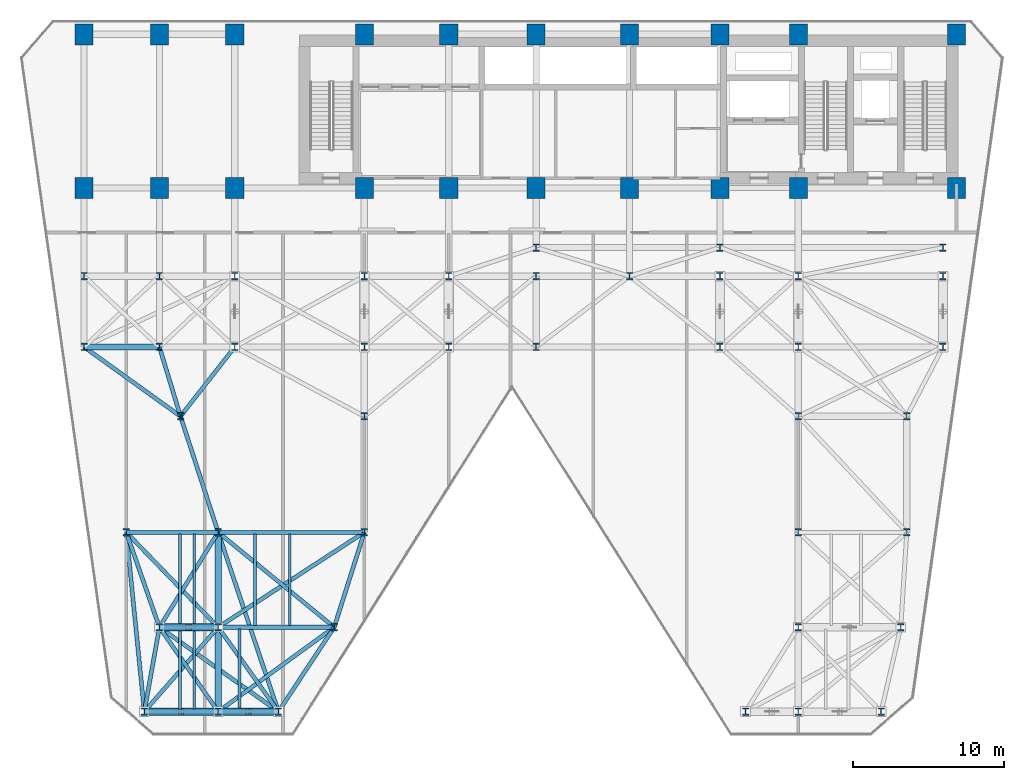
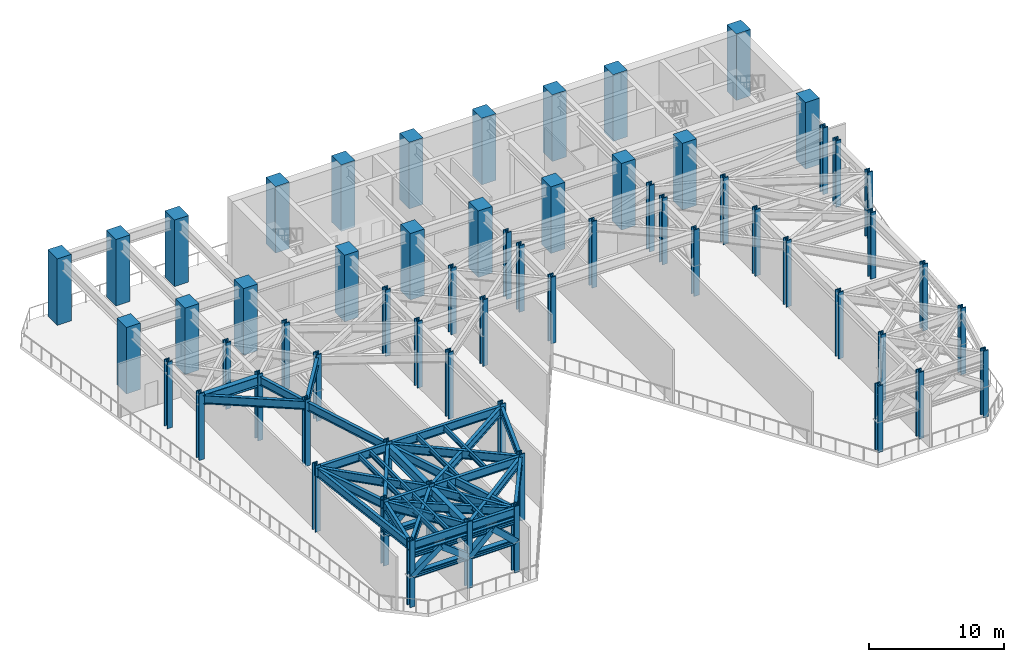
# One storey, part 1 of 12: 62 columns, 35 beams, 12 members.
"""IFC4 building model written with IfcOpenShell, lengths in metres."""

from ifc_helpers import new_model, si_unit, direction, frame, origin, origin_2d, place, context, subcontext, project, spatial, rectangle, hollow_rectangle, i_section, extrude, material, material_profile, profile_set, type_object, element, save


model = new_model("IFC4")

# Units and contexts
model_context = context("Model", 3, precision=1e-05, world=origin(), true_north=direction((0.0, 1.0)))
body_context = subcontext(model_context, "Body", "Model", "MODEL_VIEW")
ifc_project = project(units=[si_unit("LENGTHUNIT", "METRE"), si_unit("AREAUNIT", "SQUARE_METRE"), si_unit("VOLUMEUNIT", "CUBIC_METRE"), si_unit("PLANEANGLEUNIT", "RADIAN"), si_unit("MASSUNIT", "GRAM", prefix="KILO")], contexts=[model_context])

# Site, building, storey
site_placement = place(None, origin())
site = spatial("IfcSite", under=ifc_project, at=site_placement, CompositionType="ELEMENT")
building_placement = place(site_placement, origin())
building = spatial("IfcBuilding", under=site, at=building_placement, Name="Kravanh Interchange Tower", CompositionType="ELEMENT")
storey_placement = place(building_placement, frame((0.0, 0.0, 85.5)))
storey = spatial("IfcBuildingStorey", under=building, at=storey_placement, Name="L20", CompositionType="ELEMENT", Elevation=85.5)

# Columns
ifc_material_1 = material(Name="Concrete C70/85", Category="concrete")
ifc_material_profile_1 = material_profile(ifc_material_1, rectangle(XDim=1.199951171875, YDim=1.39990234375, at=origin_2d()), Name="RC1200X1400")
ifc_profile_set_1 = profile_set([ifc_material_profile_1], Name="Concrete C70/85")
column_type_1 = type_object("IfcColumnType", Name="Column RC1200X1400 Concrete C70/85", PredefinedType="COLUMN", material=ifc_profile_set_1)
for number, where, z_axis, x_axis, name in (
    (1, (66.5, 47.550048828125, 0.0), (0.0, 0.0, 1.0), (1.0, 0.0, 0.0), "L20 Column CS01"),
    (2, (56.0, 47.550048828125, 0.0), (0.0, 0.0, 1.0), (1.0, 0.0, 0.0), "L20 Column CS02"),
    (3, (66.5, 37.35009765625, 0.0), (0.0, 0.0, 1.0), (1.0, 0.0, 0.0), "L20 Column CS03"),
    (4, (56.0, 37.35009765625, 0.0), (0.0, 0.0, 1.0), (1.0, 0.0, 0.0), "L20 Column CS04"),
    (5, (50.800048828125, 47.550048828125, 0.0), (0.0, 0.0, 1.0), (1.0, 0.0, 0.0), "L20 Column CS05"),
    (6, (50.800048828125, 37.35009765625, 0.0), (0.0, 0.0, 1.0), (1.0, 0.0, 0.0), "L20 Column CS06"),
    (7, (44.800048828125, 37.35009765625, 0.0), (0.0, 0.0, 1.0), (1.0, 0.0, 0.0), "L20 Column CS07"),
    (8, (44.800048828125, 47.550048828125, 0.0), (0.0, 0.0, 1.0), (1.0, 0.0, 0.0), "L20 Column CS08"),
    (9, (38.60009765625, 37.35009765625, 0.0), (0.0, 0.0, 1.0), (1.0, 0.0, 0.0), "L20 Column CS09"),
    (10, (38.60009765625, 47.550048828125, 0.0), (0.0, 0.0, 1.0), (1.0, 0.0, 0.0), "L20 Column CS10"),
    (11, (32.800048828125, 37.35009765625, 0.0), (0.0, 0.0, 1.0), (1.0, 0.0, 0.0), "L20 Column CS11"),
    (12, (32.800048828125, 47.550048828125, 0.0), (0.0, 0.0, 1.0), (1.0, 0.0, 0.0), "L20 Column CS12"),
    (13, (27.199951171875, 37.35009765625, 0.0), (0.0, 0.0, 1.0), (1.0, 0.0, 0.0), "L20 Column CS13"),
    (14, (27.199951171875, 47.550048828125, 0.0), (0.0, 0.0, 1.0), (1.0, 0.0, 0.0), "L20 Column CS14"),
    (15, (18.60009765625, 37.35009765625, 0.0), (0.0, 0.0, 1.0), (1.0, 0.0, 0.0), "L20 Column CS17"),
    (16, (18.60009765625, 47.550048828125, 0.0), (0.0, 0.0, 1.0), (1.0, 0.0, 0.0), "L20 Column CS18"),
    (17, (13.60009765625, 37.35009765625, 0.0), (0.0, 0.0, 1.0), (1.0, 0.0, 0.0), "L20 Column CS19"),
    (18, (13.60009765625, 47.550048828125, 0.0), (0.0, 0.0, 1.0), (1.0, 0.0, 0.0), "L20 Column CS20"),
    (19, (8.60009765625, 37.35009765625, 0.0), (0.0, 0.0, 1.0), (1.0, 0.0, 0.0), "L20 Column CS21"),
    (20, (8.60009765625, 47.550048828125, 0.0), (0.0, 0.0, 1.0), (1.0, 0.0, 0.0), "L20 Column CS22"),
):
    element("IfcColumn", number, at=place(storey_placement, frame(where, z_axis=z_axis, x_axis=x_axis)), inside=storey, type_object=column_type_1, Name=name, PredefinedType="COLUMN", context=body_context, shape_type="SweptSolid", body=[
        extrude(rectangle(XDim=1.199951171875, YDim=1.39990234375, at=origin_2d()), origin(), (0.0, 0.0, 1.0), 6.0),
    ])
ifc_material_2 = material(Name="Structural Steel S450", Category="steel")
ifc_material_profile_2 = material_profile(ifc_material_2, i_section(OverallWidth=0.431884765625, OverallDepth=0.498046875, WebThickness=0.0556640625, FlangeThickness=0.0888671875, FilletRadius=0.030029296875, at=origin_2d()), Name="W14X500")
ifc_profile_set_2 = profile_set([ifc_material_profile_2], Name="Structural Steel S450")
column_type_2 = type_object("IfcColumnType", Name="Column W14X500 Structural Steel S450", PredefinedType="COLUMN", material=ifc_profile_set_2)
for number, where, z_axis, x_axis, name in (
    (21, (12.60009765625, 2.60009765625, 0.0), (0.0, 0.0, 1.0), (1.0, 0.0, 0.0), "L20 Column CZ1_1"),
    (22, (56.0, 14.5, 0.0), (0.0, 0.0, 1.0), (1.0, 0.0, 0.0), "L20 Column CZ1_10"),
    (23, (63.199951171875, 14.5, 0.0), (0.0, 0.0, 1.0), (1.0, 0.0, 0.0), "L20 Column CZ1_11"),
    (24, (15.0, 22.199951171875, 0.0), (0.0, 0.0, 1.0), (1.0, 0.0, 0.0), "L20 Column CZ1_11B"),
    (25, (27.199951171875, 22.199951171875, 0.0), (0.0, 0.0, 1.0), (1.0, 0.0, 0.0), "L20 Column CZ1_11C"),
    (26, (56.0, 22.199951171875, 0.0), (0.0, 0.0, 1.0), (1.0, 0.0, 0.0), "L20 Column CZ1_11D"),
    (27, (63.199951171875, 22.199951171875, 0.0), (0.0, 0.0, 1.0), (1.0, 0.0, 0.0), "L20 Column CZ1_11E"),
    (28, (8.60009765625, 26.800048828125, 0.0), (0.0, 0.0, 1.0), (1.0, 0.0, 0.0), "L20 Column CZ1_12"),
    (29, (13.60009765625, 26.800048828125, 0.0), (0.0, 0.0, 1.0), (1.0, 0.0, 0.0), "L20 Column CZ1_13"),
    (30, (18.60009765625, 26.800048828125, 0.0), (0.0, 0.0, 1.0), (1.0, 0.0, 0.0), "L20 Column CZ1_14"),
    (31, (27.199951171875, 26.800048828125, 0.0), (0.0, 0.0, 1.0), (1.0, 0.0, 0.0), "L20 Column CZ1_15"),
    (32, (32.800048828125, 26.800048828125, 0.0), (0.0, 0.0, 1.0), (1.0, 0.0, 0.0), "L20 Column CZ1_16"),
    (33, (38.60009765625, 26.800048828125, 0.0), (0.0, 0.0, 1.0), (1.0, 0.0, 0.0), "L20 Column CZ1_16B"),
    (34, (50.800048828125, 26.800048828125, 0.0), (0.0, 0.0, 1.0), (1.0, 0.0, 0.0), "L20 Column CZ1_17"),
    (35, (56.0, 26.800048828125, 0.0), (0.0, 0.0, 1.0), (1.0, 0.0, 0.0), "L20 Column CZ1_18"),
    (36, (65.60009765625, 26.800048828125, 0.0), (0.0, 0.0, 1.0), (1.0, 0.0, 0.0), "L20 Column CZ1_19"),
    (37, (8.60009765625, 31.5, 0.0), (0.0, 0.0, 1.0), (1.0, 0.0, 0.0), "L20 Column CZ1_19B"),
    (38, (13.60009765625, 31.5, 0.0), (0.0, 0.0, 1.0), (1.0, 0.0, 0.0), "L20 Column CZ1_19C"),
    (39, (17.5, 2.60009765625, 0.0), (0.0, 0.0, 1.0), (1.0, 0.0, 0.0), "L20 Column CZ1_2"),
    (40, (18.60009765625, 31.5, 0.0), (0.0, 0.0, 1.0), (1.0, 0.0, 0.0), "L20 Column CZ1_20"),
    (41, (27.199951171875, 31.5, 0.0), (0.0, 0.0, 1.0), (1.0, 0.0, 0.0), "L20 Column CZ1_21"),
    (42, (32.800048828125, 31.5, 0.0), (0.0, 0.0, 1.0), (1.0, 0.0, 0.0), "L20 Column CZ1_22"),
    (43, (38.60009765625, 31.5, 0.0), (0.0, 0.0, 1.0), (1.0, 0.0, 0.0), "L20 Column CZ1_23"),
    (44, (44.800048828125, 31.5, 0.0), (0.0, 0.0, 1.0), (1.0, 0.0, 0.0), "L20 Column CZ1_24"),
    (45, (50.800048828125, 31.5, 0.0), (0.0, 0.0, 1.0), (1.0, 0.0, 0.0), "L20 Column CZ1_25"),
    (46, (56.0, 31.5, 0.0), (0.0, 0.0, 1.0), (1.0, 0.0, 0.0), "L20 Column CZ1_26"),
    (47, (65.60009765625, 31.5, 0.0), (0.0, 0.0, 1.0), (1.0, 0.0, 0.0), "L20 Column CZ1_27"),
    (48, (21.5, 2.60009765625, 0.0), (0.0, 0.0, 1.0), (1.0, 0.0, 0.0), "L20 Column CZ1_3"),
    (49, (52.5, 2.60009765625, 0.0), (0.0, 0.0, 1.0), (1.0, 0.0, 0.0), "L20 Column CZ1_4"),
    (50, (56.0, 2.60009765625, 0.0), (0.0, 0.0, 1.0), (1.0, 0.0, 0.0), "L20 Column CZ1_5"),
    (51, (61.5, 2.60009765625, 0.0), (0.0, 0.0, 1.0), (1.0, 0.0, 0.0), "L20 Column CZ1_5B"),
    (52, (13.60009765625, 8.199951171875, 0.0), (0.0, 0.0, 1.0), (1.0, 0.0, 0.0), "L20 Column CZ1_6"),
    (53, (17.5, 8.199951171875, 0.0), (0.0, 0.0, 1.0), (1.0, 0.0, 0.0), "L20 Column CZ1_6B"),
    (54, (25.199951171875, 8.199951171875, 0.0), (0.0, 0.0, 1.0), (1.0, 0.0, 0.0), "L20 Column CZ1_6C"),
    (55, (56.0, 8.199951171875, 0.0), (0.0, 0.0, 1.0), (1.0, 0.0, 0.0), "L20 Column CZ1_6D"),
    (56, (62.800048828125, 8.199951171875, 0.0), (0.0, 0.0, 1.0), (1.0, 0.0, 0.0), "L20 Column CZ1_6E"),
    (57, (11.39990234375, 14.5, 0.0), (0.0, 0.0, 1.0), (1.0, 0.0, 0.0), "L20 Column CZ1_7"),
    (58, (17.5, 14.5, 0.0), (0.0, 0.0, 1.0), (1.0, 0.0, 0.0), "L20 Column CZ1_7B"),
    (59, (27.199951171875, 14.5, 0.0), (0.0, 0.0, 1.0), (1.0, 0.0, 0.0), "L20 Column CZ1_8"),
    (60, (38.60009765625, 33.39990234375, 0.0), (0.0, 0.0, 1.0), (1.0, 0.0, 0.0), "L20 Column CZ1_M1"),
    (61, (50.800048828125, 33.39990234375, 0.0), (0.0, 0.0, 1.0), (1.0, 0.0, 0.0), "L20 Column CZ1_M2"),
    (62, (65.60009765625, 33.39990234375, 0.0), (0.0, 0.0, 1.0), (1.0, 0.0, 0.0), "L20 Column CZ1_M3"),
):
    element("IfcColumn", number, at=place(storey_placement, frame(where, z_axis=z_axis, x_axis=x_axis)), inside=storey, type_object=column_type_2, Name=name, PredefinedType="COLUMN", context=body_context, shape_type="SweptSolid", body=[
        extrude(i_section(OverallWidth=0.431884765625, OverallDepth=0.498046875, WebThickness=0.0556640625, FlangeThickness=0.0888671875, FilletRadius=0.030029296875, at=origin_2d()), origin(), (0.0, 0.0, 1.0), 6.0),
    ])

# Members
ifc_material_3 = material(Name="Structural Steel S450", Category="steel")
ifc_material_profile_3 = material_profile(ifc_material_3, i_section(OverallWidth=0.424072265625, OverallDepth=0.47412109375, WebThickness=0.047607421875, FlangeThickness=0.0771484375, FilletRadius=0.030029296875, at=origin_2d()), Name="W14X426")
ifc_profile_set_3 = profile_set([ifc_material_profile_3], Name="Structural Steel S450")
member_type_1 = type_object("IfcMemberType", Name="Belt Truss Chord W14X426 Structural Steel S450", PredefinedType="CHORD", material=ifc_profile_set_3)
for number, where, z_axis, x_axis, name in (
    (63, (12.60009765625, 2.60009765625, 2.75), (1.0, 0.0, 0.0), (0.0, 1.0, 0.0), "L20 BELT TRUSS BOTTOM CHORD 1"),
    (64, (12.60009765625, 2.60009765625, 4.597900390625), (1.0, 0.0, 0.0), (0.0, 1.0, 0.0), "L20 BELT TRUSS TOP CHORD 1"),
):
    element("IfcMember", number, at=place(storey_placement, frame(where, z_axis=z_axis, x_axis=x_axis)), inside=storey, type_object=member_type_1, Name=name, PredefinedType="CHORD", context=body_context, shape_type="SweptSolid", body=[
        extrude(i_section(OverallWidth=0.424072265625, OverallDepth=0.47412109375, WebThickness=0.047607421875, FlangeThickness=0.0771484375, FilletRadius=0.030029296875, at=origin_2d()), origin(), (0.0, 0.0, 1.0), 4.89990234375),
    ])
for number, where, z_axis, x_axis, name in (
    (65, (17.5, 2.60009765625, 2.75), (1.0, 0.0, 0.0), (0.0, 1.0, 0.0), "L20 BELT TRUSS BOTTOM CHORD 2"),
    (66, (17.5, 2.60009765625, 4.597900390625), (1.0, 0.0, 0.0), (0.0, 1.0, 0.0), "L20 BELT TRUSS TOP CHORD 2"),
):
    element("IfcMember", number, at=place(storey_placement, frame(where, z_axis=z_axis, x_axis=x_axis)), inside=storey, type_object=member_type_1, Name=name, PredefinedType="CHORD", context=body_context, shape_type="SweptSolid", body=[
        extrude(i_section(OverallWidth=0.424072265625, OverallDepth=0.47412109375, WebThickness=0.047607421875, FlangeThickness=0.0771484375, FilletRadius=0.030029296875, at=origin_2d()), origin(), (0.0, 0.0, 1.0), 4.0),
    ])
for number, where, z_axis, x_axis, name in (
    (67, (13.60009765625, 8.199951171875, 2.75), (1.0, 0.0, 0.0), (0.0, 1.0, 0.0), "L20 BELT TRUSS BOTTOM CHORD 5"),
    (68, (13.60009765625, 8.199951171875, 4.597900390625), (1.0, 0.0, 0.0), (0.0, 1.0, 0.0), "L20 BELT TRUSS TOP CHORD 5"),
):
    element("IfcMember", number, at=place(storey_placement, frame(where, z_axis=z_axis, x_axis=x_axis)), inside=storey, type_object=member_type_1, Name=name, PredefinedType="CHORD", context=body_context, shape_type="SweptSolid", body=[
        extrude(i_section(OverallWidth=0.424072265625, OverallDepth=0.47412109375, WebThickness=0.047607421875, FlangeThickness=0.0771484375, FilletRadius=0.030029296875, at=origin_2d()), origin(), (0.0, 0.0, 1.0), 3.89990234375),
    ])
ifc_material_4 = material(Name="Structural Steel S450", Category="steel")
ifc_material_profile_4 = material_profile(ifc_material_4, hollow_rectangle(XDim=0.5, YDim=0.5, WallThickness=0.02001953125, at=origin_2d()), Name="HSS500X500X20")
ifc_profile_set_4 = profile_set([ifc_material_profile_4], Name="Structural Steel S450")
member_type_2 = type_object("IfcMemberType", Name="Belt Truss Diagonal HSS500X500X20 Structural Steel S450", PredefinedType="BRACE", material=ifc_profile_set_4)
for number, where, z_axis, x_axis, name in (
    (69, (12.60009765625, 2.60009765625, 2.75), (0.798364508595, 0.0, 0.602174485855), (0.0, 1.0, 0.0), "L20 BELT TRUSS DIAGONAL 1A"),
    (70, (17.5, 2.60009765625, 2.75), (-0.798364508595, 0.0, 0.602174485855), (0.0, -1.0, 0.0), "L20 BELT TRUSS DIAGONAL 1B"),
):
    element("IfcMember", number, at=place(storey_placement, frame(where, z_axis=z_axis, x_axis=x_axis)), inside=storey, type_object=member_type_2, Name=name, PredefinedType="BRACE", context=body_context, shape_type="SweptSolid", body=[
        extrude(hollow_rectangle(XDim=0.5, YDim=0.5, WallThickness=0.02001953125, at=origin_2d()), origin(), (0.0, 0.0, 1.0), 3.068603515625),
    ])
for number, where, z_axis, x_axis, name in (
    (71, (17.5, 2.60009765625, 2.75), (0.734483685519, 0.0, 0.678626344689), (0.0, 1.0, 0.0), "L20 BELT TRUSS DIAGONAL 2A"),
    (72, (21.5, 2.60009765625, 2.75), (-0.734483685519, 0.0, 0.678626344689), (0.0, -1.0, 0.0), "L20 BELT TRUSS DIAGONAL 2B"),
):
    element("IfcMember", number, at=place(storey_placement, frame(where, z_axis=z_axis, x_axis=x_axis)), inside=storey, type_object=member_type_2, Name=name, PredefinedType="BRACE", context=body_context, shape_type="SweptSolid", body=[
        extrude(hollow_rectangle(XDim=0.5, YDim=0.5, WallThickness=0.02001953125, at=origin_2d()), origin(), (0.0, 0.0, 1.0), 2.722900390625),
    ])
for number, where, z_axis, x_axis, name in (
    (73, (13.60009765625, 8.199951171875, 2.75), (0.725845213078, 0.0, 0.68785807159), (0.0, 1.0, 0.0), "L20 BELT TRUSS DIAGONAL 5A"),
    (74, (17.5, 8.199951171875, 2.75), (-0.725845213078, 0.0, 0.68785807159), (0.0, -1.0, 0.0), "L20 BELT TRUSS DIAGONAL 5B"),
):
    element("IfcMember", number, at=place(storey_placement, frame(where, z_axis=z_axis, x_axis=x_axis)), inside=storey, type_object=member_type_2, Name=name, PredefinedType="BRACE", context=body_context, shape_type="SweptSolid", body=[
        extrude(hollow_rectangle(XDim=0.5, YDim=0.5, WallThickness=0.02001953125, at=origin_2d()), origin(), (0.0, 0.0, 1.0), 2.6865234375),
    ])

# Beams
ifc_material_5 = material(Name="Structural Steel S355", Category="steel")
ifc_material_profile_5 = material_profile(ifc_material_5, i_section(OverallWidth=0.41796875, OverallDepth=0.927001953125, WebThickness=0.019287109375, FlangeThickness=0.031982421875, FilletRadius=0.028076171875, at=origin_2d()), Name="W36X231")
ifc_profile_set_5 = profile_set([ifc_material_profile_5], Name="Structural Steel S355")
beam_type_1 = type_object("IfcBeamType", Name="Floor Beam W36X231 Structural Steel S355", PredefinedType="BEAM", material=ifc_profile_set_5)
beam_1_placement = place(storey_placement, frame((8.60009765625, 26.800048828125, 5.281494140625), z_axis=(1.0, 0.0, 0.0), x_axis=(0.0, 1.0, 0.0)))
element("IfcBeam", 75, at=beam_1_placement, inside=storey, type_object=beam_type_1, Name="L20 Primary Floor Girder 67", PredefinedType="BEAM", context=body_context, shape_type="SweptSolid", body=[
    extrude(i_section(OverallWidth=0.41796875, OverallDepth=0.927001953125, WebThickness=0.019287109375, FlangeThickness=0.031982421875, FilletRadius=0.028076171875, at=origin_2d()), origin(), (0.0, 0.0, 1.0), 5.0),
])
beam_2_placement = place(storey_placement, frame((17.5, 2.60009765625, 5.281494140625), z_axis=(0.0, 1.0, 0.0), x_axis=(-1.0, 0.0, 0.0)))
element("IfcBeam", 76, at=beam_2_placement, inside=storey, type_object=beam_type_1, Name="L20 Primary Floor Girder 103", PredefinedType="BEAM", context=body_context, shape_type="SweptSolid", body=[
    extrude(i_section(OverallWidth=0.41796875, OverallDepth=0.927001953125, WebThickness=0.019287109375, FlangeThickness=0.031982421875, FilletRadius=0.028076171875, at=origin_2d()), origin(), (0.0, 0.0, 1.0), 5.599853515625),
])
beam_3_placement = place(storey_placement, frame((17.5, 8.199951171875, 5.281494140625), z_axis=(0.0, 1.0, 0.0), x_axis=(-1.0, 0.0, 0.0)))
element("IfcBeam", 77, at=beam_3_placement, inside=storey, type_object=beam_type_1, Name="L20 Primary Floor Girder 136", PredefinedType="BEAM", context=body_context, shape_type="SweptSolid", body=[
    extrude(i_section(OverallWidth=0.41796875, OverallDepth=0.927001953125, WebThickness=0.019287109375, FlangeThickness=0.031982421875, FilletRadius=0.028076171875, at=origin_2d()), origin(), (0.0, 0.0, 1.0), 6.300048828125),
])
ifc_material_6 = material(Name="Structural Steel S355", Category="steel")
ifc_material_profile_6 = material_profile(ifc_material_6, i_section(OverallWidth=0.18994140625, OverallDepth=0.45703125, WebThickness=0.009033203125, FlangeThickness=0.014404296875, FilletRadius=0.01806640625, at=origin_2d()), Name="W18X50")
ifc_profile_set_6 = profile_set([ifc_material_profile_6], Name="Structural Steel S355")
beam_type_2 = type_object("IfcBeamType", Name="Floor Joist W18X50 Structural Steel S355", PredefinedType="JOIST", material=ifc_profile_set_6)
for number, where, z_axis, x_axis, name in (
    (78, (14.97802734375, 2.728515625, 5.5166015625), (0.0, 1.0, 0.0), (-1.0, 0.0, 0.0), "L20 Secondary Floor Joist 1"),
    (79, (15.9140625, 2.728515625, 5.5166015625), (0.0, 1.0, 0.0), (-1.0, 0.0, 0.0), "L20 Secondary Floor Joist 2"),
    (80, (18.906005859375, 2.728515625, 5.5166015625), (0.0, 1.0, 0.0), (-1.0, 0.0, 0.0), "L20 Secondary Floor Joist 3"),
):
    element("IfcBeam", number, at=place(storey_placement, frame(where, z_axis=z_axis, x_axis=x_axis)), inside=storey, type_object=beam_type_2, Name=name, PredefinedType="JOIST", context=body_context, shape_type="SweptSolid", body=[
        extrude(i_section(OverallWidth=0.18994140625, OverallDepth=0.45703125, WebThickness=0.009033203125, FlangeThickness=0.014404296875, FilletRadius=0.01806640625, at=origin_2d()), origin(), (0.0, 0.0, 1.0), 5.343017578125),
    ])
for number, where, z_axis, x_axis, name in (
    (81, (14.97802734375, 8.32861328125, 5.5166015625), (0.0, 1.0, 0.0), (-1.0, 0.0, 0.0), "L20 Secondary Floor Joist 7"),
    (82, (15.9140625, 8.32861328125, 5.5166015625), (0.0, 1.0, 0.0), (-1.0, 0.0, 0.0), "L20 Secondary Floor Joist 8"),
    (83, (19.94189453125, 8.32861328125, 5.5166015625), (0.0, 1.0, 0.0), (-1.0, 0.0, 0.0), "L20 Secondary Floor Joist 9"),
    (84, (22.24609375, 8.32861328125, 5.5166015625), (0.0, 1.0, 0.0), (-1.0, 0.0, 0.0), "L20 Secondary Floor Joist 10"),
):
    element("IfcBeam", number, at=place(storey_placement, frame(where, z_axis=z_axis, x_axis=x_axis)), inside=storey, type_object=beam_type_2, Name=name, PredefinedType="JOIST", context=body_context, shape_type="SweptSolid", body=[
        extrude(i_section(OverallWidth=0.18994140625, OverallDepth=0.45703125, WebThickness=0.009033203125, FlangeThickness=0.014404296875, FilletRadius=0.01806640625, at=origin_2d()), origin(), (0.0, 0.0, 1.0), 6.04296875),
    ])
ifc_material_7 = material(Name="Structural Steel S355", Category="steel")
ifc_material_profile_7 = material_profile(ifc_material_7, i_section(OverallWidth=0.26708984375, OverallDepth=0.761962890625, WebThickness=0.014404296875, FlangeThickness=0.021484375, FilletRadius=0.02490234375, at=origin_2d()), Name="W30X116")
ifc_profile_set_7 = profile_set([ifc_material_profile_7], Name="Structural Steel S355")
beam_type_3 = type_object("IfcBeamType", Name="Floor Spandrel W30X116 Structural Steel S355", PredefinedType="SPANDREL", material=ifc_profile_set_7)
beam_4_placement = place(storey_placement, frame((12.60009765625, 2.60009765625, 5.364013671875), z_axis=(1.0, 0.0, 0.0), x_axis=(0.0, 1.0, 0.0)))
element("IfcBeam", 85, at=beam_4_placement, inside=storey, type_object=beam_type_3, Name="L20 Perimeter Spandrel 38", PredefinedType="SPANDREL", context=body_context, shape_type="SweptSolid", body=[
    extrude(i_section(OverallWidth=0.26708984375, OverallDepth=0.761962890625, WebThickness=0.014404296875, FlangeThickness=0.021484375, FilletRadius=0.02490234375, at=origin_2d()), origin(), (0.0, 0.0, 1.0), 4.89990234375),
])
beam_5_placement = place(storey_placement, frame((12.60009765625, 2.60009765625, 5.364013671875), z_axis=(0.175795094814, 0.984426779725, 0.0), x_axis=(-0.984426779725, 0.175795094814, 0.0)))
element("IfcBeam", 86, at=beam_5_placement, inside=storey, type_object=beam_type_3, Name="L20 Perimeter Spandrel 39", PredefinedType="SPANDREL", context=body_context, shape_type="SweptSolid", body=[
    extrude(i_section(OverallWidth=0.26708984375, OverallDepth=0.761962890625, WebThickness=0.014404296875, FlangeThickness=0.021484375, FilletRadius=0.02490234375, at=origin_2d()), origin(), (0.0, 0.0, 1.0), 5.6884765625),
])
beam_6_placement = place(storey_placement, frame((12.60009765625, 2.60009765625, 5.364013671875), z_axis=(0.658506930733, 0.752574662194, 0.0), x_axis=(-0.752574662194, 0.658506930733, 0.0)))
element("IfcBeam", 87, at=beam_6_placement, inside=storey, type_object=beam_type_3, Name="L20 Perimeter Spandrel 40", PredefinedType="SPANDREL", context=body_context, shape_type="SweptSolid", body=[
    extrude(i_section(OverallWidth=0.26708984375, OverallDepth=0.761962890625, WebThickness=0.014404296875, FlangeThickness=0.021484375, FilletRadius=0.02490234375, at=origin_2d()), origin(), (0.0, 0.0, 1.0), 7.44091796875),
])
beam_7_placement = place(storey_placement, frame((12.60009765625, 2.60009765625, 5.364013671875), z_axis=(-0.100348483042, 0.994952351598, 0.0), x_axis=(-0.994952351598, -0.100348483042, 0.0)))
element("IfcBeam", 88, at=beam_7_placement, inside=storey, type_object=beam_type_3, Name="L20 Perimeter Spandrel 41", PredefinedType="SPANDREL", context=body_context, shape_type="SweptSolid", body=[
    extrude(i_section(OverallWidth=0.26708984375, OverallDepth=0.761962890625, WebThickness=0.014404296875, FlangeThickness=0.021484375, FilletRadius=0.02490234375, at=origin_2d()), origin(), (0.0, 0.0, 1.0), 11.960205078125),
])
beam_8_placement = place(storey_placement, frame((15.0, 22.199951171875, 5.364013671875), z_axis=(-0.291137370727, 0.956681259023, 0.0), x_axis=(-0.956681259023, -0.291137370727, 0.0)))
element("IfcBeam", 89, at=beam_8_placement, inside=storey, type_object=beam_type_3, Name="L20 Perimeter Spandrel 50", PredefinedType="SPANDREL", context=body_context, shape_type="SweptSolid", body=[
    extrude(i_section(OverallWidth=0.26708984375, OverallDepth=0.761962890625, WebThickness=0.014404296875, FlangeThickness=0.021484375, FilletRadius=0.02490234375, at=origin_2d()), origin(), (0.0, 0.0, 1.0), 4.808349609375),
])
beam_9_placement = place(storey_placement, frame((15.0, 22.199951171875, 5.364013671875), z_axis=(0.616310515553, 0.787503237085, 0.0), x_axis=(-0.787503237085, 0.616310515553, 0.0)))
element("IfcBeam", 90, at=beam_9_placement, inside=storey, type_object=beam_type_3, Name="L20 Perimeter Spandrel 51", PredefinedType="SPANDREL", context=body_context, shape_type="SweptSolid", body=[
    extrude(i_section(OverallWidth=0.26708984375, OverallDepth=0.761962890625, WebThickness=0.014404296875, FlangeThickness=0.021484375, FilletRadius=0.02490234375, at=origin_2d()), origin(), (0.0, 0.0, 1.0), 5.84130859375),
])
beam_10_placement = place(storey_placement, frame((15.0, 22.199951171875, 5.364013671875), z_axis=(-0.812005278585, 0.583650089994, 0.0), x_axis=(-0.583650089994, -0.812005278585, 0.0)))
element("IfcBeam", 91, at=beam_10_placement, inside=storey, type_object=beam_type_3, Name="L20 Perimeter Spandrel 52", PredefinedType="SPANDREL", context=body_context, shape_type="SweptSolid", body=[
    extrude(i_section(OverallWidth=0.26708984375, OverallDepth=0.761962890625, WebThickness=0.014404296875, FlangeThickness=0.021484375, FilletRadius=0.02490234375, at=origin_2d()), origin(), (0.0, 0.0, 1.0), 7.881591796875),
])
beam_11_placement = place(storey_placement, frame((15.0, 22.199951171875, 5.364013671875), z_axis=(0.30880852537, -0.951124226723, 0.0), x_axis=(0.951124226723, 0.30880852537, 0.0)))
element("IfcBeam", 92, at=beam_11_placement, inside=storey, type_object=beam_type_3, Name="L20 Perimeter Spandrel 53", PredefinedType="SPANDREL", context=body_context, shape_type="SweptSolid", body=[
    extrude(i_section(OverallWidth=0.26708984375, OverallDepth=0.761962890625, WebThickness=0.014404296875, FlangeThickness=0.021484375, FilletRadius=0.02490234375, at=origin_2d()), origin(), (0.0, 0.0, 1.0), 8.095703125),
])
beam_12_placement = place(storey_placement, frame((17.5, 2.60009765625, 5.364013671875), z_axis=(1.0, 0.0, 0.0), x_axis=(0.0, 1.0, 0.0)))
element("IfcBeam", 93, at=beam_12_placement, inside=storey, type_object=beam_type_3, Name="L20 Perimeter Spandrel 102", PredefinedType="SPANDREL", context=body_context, shape_type="SweptSolid", body=[
    extrude(i_section(OverallWidth=0.26708984375, OverallDepth=0.761962890625, WebThickness=0.014404296875, FlangeThickness=0.021484375, FilletRadius=0.02490234375, at=origin_2d()), origin(), (0.0, 0.0, 1.0), 4.0),
])
beam_13_placement = place(storey_placement, frame((17.5, 2.60009765625, 5.364013671875), z_axis=(-0.571494183969, 0.820606116045, 0.0), x_axis=(-0.820606116045, -0.571494183969, 0.0)))
element("IfcBeam", 94, at=beam_13_placement, inside=storey, type_object=beam_type_3, Name="L20 Perimeter Spandrel 104", PredefinedType="SPANDREL", context=body_context, shape_type="SweptSolid", body=[
    extrude(i_section(OverallWidth=0.26708984375, OverallDepth=0.761962890625, WebThickness=0.014404296875, FlangeThickness=0.021484375, FilletRadius=0.02490234375, at=origin_2d()), origin(), (0.0, 0.0, 1.0), 6.823974609375),
])
beam_14_placement = place(storey_placement, frame((17.5, 2.60009765625, 5.364013671875), z_axis=(0.808741628611, 0.588164074176, 0.0), x_axis=(-0.588164074176, 0.808741628611, 0.0)))
element("IfcBeam", 95, at=beam_14_placement, inside=storey, type_object=beam_type_3, Name="L20 Perimeter Spandrel 105", PredefinedType="SPANDREL", context=body_context, shape_type="SweptSolid", body=[
    extrude(i_section(OverallWidth=0.26708984375, OverallDepth=0.761962890625, WebThickness=0.014404296875, FlangeThickness=0.021484375, FilletRadius=0.02490234375, at=origin_2d()), origin(), (0.0, 0.0, 1.0), 9.52099609375),
])
beam_15_placement = place(storey_placement, frame((21.5, 2.60009765625, 5.364013671875), z_axis=(0.551262239226, 0.834332034386, 0.0), x_axis=(-0.834332034386, 0.551262239226, 0.0)))
element("IfcBeam", 96, at=beam_15_placement, inside=storey, type_object=beam_type_3, Name="L20 Perimeter Spandrel 121", PredefinedType="SPANDREL", context=body_context, shape_type="SweptSolid", body=[
    extrude(i_section(OverallWidth=0.26708984375, OverallDepth=0.761962890625, WebThickness=0.014404296875, FlangeThickness=0.021484375, FilletRadius=0.02490234375, at=origin_2d()), origin(), (0.0, 0.0, 1.0), 6.711669921875),
])
beam_16_placement = place(storey_placement, frame((21.5, 2.60009765625, 5.364013671875), z_axis=(-0.581248261352, 0.813726279946, 0.0), x_axis=(-0.813726279946, -0.581248261352, 0.0)))
element("IfcBeam", 97, at=beam_16_placement, inside=storey, type_object=beam_type_3, Name="L20 Perimeter Spandrel 122", PredefinedType="SPANDREL", context=body_context, shape_type="SweptSolid", body=[
    extrude(i_section(OverallWidth=0.26708984375, OverallDepth=0.761962890625, WebThickness=0.014404296875, FlangeThickness=0.021484375, FilletRadius=0.02490234375, at=origin_2d()), origin(), (0.0, 0.0, 1.0), 6.8818359375),
])
beam_17_placement = place(storey_placement, frame((21.5, 2.60009765625, 5.364013671875), z_axis=(-0.815825239527, 0.578298520274, 0.0), x_axis=(-0.578298520274, -0.815825239527, 0.0)))
element("IfcBeam", 98, at=beam_17_placement, inside=storey, type_object=beam_type_3, Name="L20 Perimeter Spandrel 123", PredefinedType="SPANDREL", context=body_context, shape_type="SweptSolid", body=[
    extrude(i_section(OverallWidth=0.26708984375, OverallDepth=0.761962890625, WebThickness=0.014404296875, FlangeThickness=0.021484375, FilletRadius=0.02490234375, at=origin_2d()), origin(), (0.0, 0.0, 1.0), 9.683349609375),
])
beam_18_placement = place(storey_placement, frame((21.5, 2.60009765625, 5.364013671875), z_axis=(-0.318618734989, 0.947882957814, 0.0), x_axis=(-0.947882957814, -0.318618734989, 0.0)))
element("IfcBeam", 99, at=beam_18_placement, inside=storey, type_object=beam_type_3, Name="L20 Perimeter Spandrel 124", PredefinedType="SPANDREL", context=body_context, shape_type="SweptSolid", body=[
    extrude(i_section(OverallWidth=0.26708984375, OverallDepth=0.761962890625, WebThickness=0.014404296875, FlangeThickness=0.021484375, FilletRadius=0.02490234375, at=origin_2d()), origin(), (0.0, 0.0, 1.0), 12.55419921875),
])
beam_19_placement = place(storey_placement, frame((13.60009765625, 8.199951171875, 5.364013671875), z_axis=(1.0, 0.0, 0.0), x_axis=(0.0, 1.0, 0.0)))
element("IfcBeam", 100, at=beam_19_placement, inside=storey, type_object=beam_type_3, Name="L20 Perimeter Spandrel 133", PredefinedType="SPANDREL", context=body_context, shape_type="SweptSolid", body=[
    extrude(i_section(OverallWidth=0.26708984375, OverallDepth=0.761962890625, WebThickness=0.014404296875, FlangeThickness=0.021484375, FilletRadius=0.02490234375, at=origin_2d()), origin(), (0.0, 0.0, 1.0), 3.89990234375),
])
beam_20_placement = place(storey_placement, frame((13.60009765625, 8.199951171875, 5.364013671875), z_axis=(-0.329706642337, 0.944083433812, 0.0), x_axis=(-0.944083433812, -0.329706642337, 0.0)))
element("IfcBeam", 101, at=beam_20_placement, inside=storey, type_object=beam_type_3, Name="L20 Perimeter Spandrel 134", PredefinedType="SPANDREL", context=body_context, shape_type="SweptSolid", body=[
    extrude(i_section(OverallWidth=0.26708984375, OverallDepth=0.761962890625, WebThickness=0.014404296875, FlangeThickness=0.021484375, FilletRadius=0.02490234375, at=origin_2d()), origin(), (0.0, 0.0, 1.0), 6.673095703125),
])
beam_21_placement = place(storey_placement, frame((13.60009765625, 8.199951171875, 5.364013671875), z_axis=(0.5263421368, 0.850272870923, 0.0), x_axis=(-0.850272870923, 0.5263421368, 0.0)))
element("IfcBeam", 102, at=beam_21_placement, inside=storey, type_object=beam_type_3, Name="L20 Perimeter Spandrel 135", PredefinedType="SPANDREL", context=body_context, shape_type="SweptSolid", body=[
    extrude(i_section(OverallWidth=0.26708984375, OverallDepth=0.761962890625, WebThickness=0.014404296875, FlangeThickness=0.021484375, FilletRadius=0.02490234375, at=origin_2d()), origin(), (0.0, 0.0, 1.0), 7.409423828125),
])
beam_22_placement = place(storey_placement, frame((17.5, 8.199951171875, 5.364013671875), z_axis=(1.0, 0.0, 0.0), x_axis=(0.0, 1.0, 0.0)))
element("IfcBeam", 103, at=beam_22_placement, inside=storey, type_object=beam_type_3, Name="L20 Perimeter Spandrel 137", PredefinedType="SPANDREL", context=body_context, shape_type="SweptSolid", body=[
    extrude(i_section(OverallWidth=0.26708984375, OverallDepth=0.761962890625, WebThickness=0.014404296875, FlangeThickness=0.021484375, FilletRadius=0.02490234375, at=origin_2d()), origin(), (0.0, 0.0, 1.0), 7.699951171875),
])
beam_23_placement = place(storey_placement, frame((17.5, 8.199951171875, 5.364013671875), z_axis=(-0.695614323867, 0.718415417729, 0.0), x_axis=(-0.718415417729, -0.695614323867, 0.0)))
element("IfcBeam", 104, at=beam_23_placement, inside=storey, type_object=beam_type_3, Name="L20 Perimeter Spandrel 138", PredefinedType="SPANDREL", context=body_context, shape_type="SweptSolid", body=[
    extrude(i_section(OverallWidth=0.26708984375, OverallDepth=0.761962890625, WebThickness=0.014404296875, FlangeThickness=0.021484375, FilletRadius=0.02490234375, at=origin_2d()), origin(), (0.0, 0.0, 1.0), 8.769287109375),
])
beam_24_placement = place(storey_placement, frame((17.5, 8.199951171875, 5.364013671875), z_axis=(0.838637911458, 0.544689318295, 0.0), x_axis=(-0.544689318295, 0.838637911458, 0.0)))
element("IfcBeam", 105, at=beam_24_placement, inside=storey, type_object=beam_type_3, Name="L20 Perimeter Spandrel 139", PredefinedType="SPANDREL", context=body_context, shape_type="SweptSolid", body=[
    extrude(i_section(OverallWidth=0.26708984375, OverallDepth=0.761962890625, WebThickness=0.014404296875, FlangeThickness=0.021484375, FilletRadius=0.02490234375, at=origin_2d()), origin(), (0.0, 0.0, 1.0), 11.56640625),
])
beam_25_placement = place(storey_placement, frame((25.199951171875, 8.199951171875, 5.364013671875), z_axis=(0.30257700201, 0.953124943465, 0.0), x_axis=(-0.953124943465, 0.30257700201, 0.0)))
element("IfcBeam", 106, at=beam_25_placement, inside=storey, type_object=beam_type_3, Name="L20 Perimeter Spandrel 140", PredefinedType="SPANDREL", context=body_context, shape_type="SweptSolid", body=[
    extrude(i_section(OverallWidth=0.26708984375, OverallDepth=0.761962890625, WebThickness=0.014404296875, FlangeThickness=0.021484375, FilletRadius=0.02490234375, at=origin_2d()), origin(), (0.0, 0.0, 1.0), 6.60986328125),
])
beam_26_placement = place(storey_placement, frame((25.199951171875, 8.199951171875, 5.364013671875), z_axis=(-0.773952925799, 0.633243135491, 0.0), x_axis=(-0.633243135491, -0.773952925799, 0.0)))
element("IfcBeam", 107, at=beam_26_placement, inside=storey, type_object=beam_type_3, Name="L20 Perimeter Spandrel 141", PredefinedType="SPANDREL", context=body_context, shape_type="SweptSolid", body=[
    extrude(i_section(OverallWidth=0.26708984375, OverallDepth=0.761962890625, WebThickness=0.014404296875, FlangeThickness=0.021484375, FilletRadius=0.02490234375, at=origin_2d()), origin(), (0.0, 0.0, 1.0), 9.948974609375),
])
beam_27_placement = place(storey_placement, frame((11.39990234375, 14.5, 5.364013671875), z_axis=(1.0, 0.0, 0.0), x_axis=(0.0, 1.0, 0.0)))
element("IfcBeam", 108, at=beam_27_placement, inside=storey, type_object=beam_type_3, Name="L20 Perimeter Spandrel 143", PredefinedType="SPANDREL", context=body_context, shape_type="SweptSolid", body=[
    extrude(i_section(OverallWidth=0.26708984375, OverallDepth=0.761962890625, WebThickness=0.014404296875, FlangeThickness=0.021484375, FilletRadius=0.02490234375, at=origin_2d()), origin(), (0.0, 0.0, 1.0), 6.10009765625),
])
beam_28_placement = place(storey_placement, frame((17.5, 14.5, 5.364013671875), z_axis=(1.0, 0.0, 0.0), x_axis=(0.0, 1.0, 0.0)))
element("IfcBeam", 109, at=beam_28_placement, inside=storey, type_object=beam_type_3, Name="L20 Perimeter Spandrel 144", PredefinedType="SPANDREL", context=body_context, shape_type="SweptSolid", body=[
    extrude(i_section(OverallWidth=0.26708984375, OverallDepth=0.761962890625, WebThickness=0.014404296875, FlangeThickness=0.021484375, FilletRadius=0.02490234375, at=origin_2d()), origin(), (0.0, 0.0, 1.0), 9.699951171875),
])

save(model, "model.ifc")
